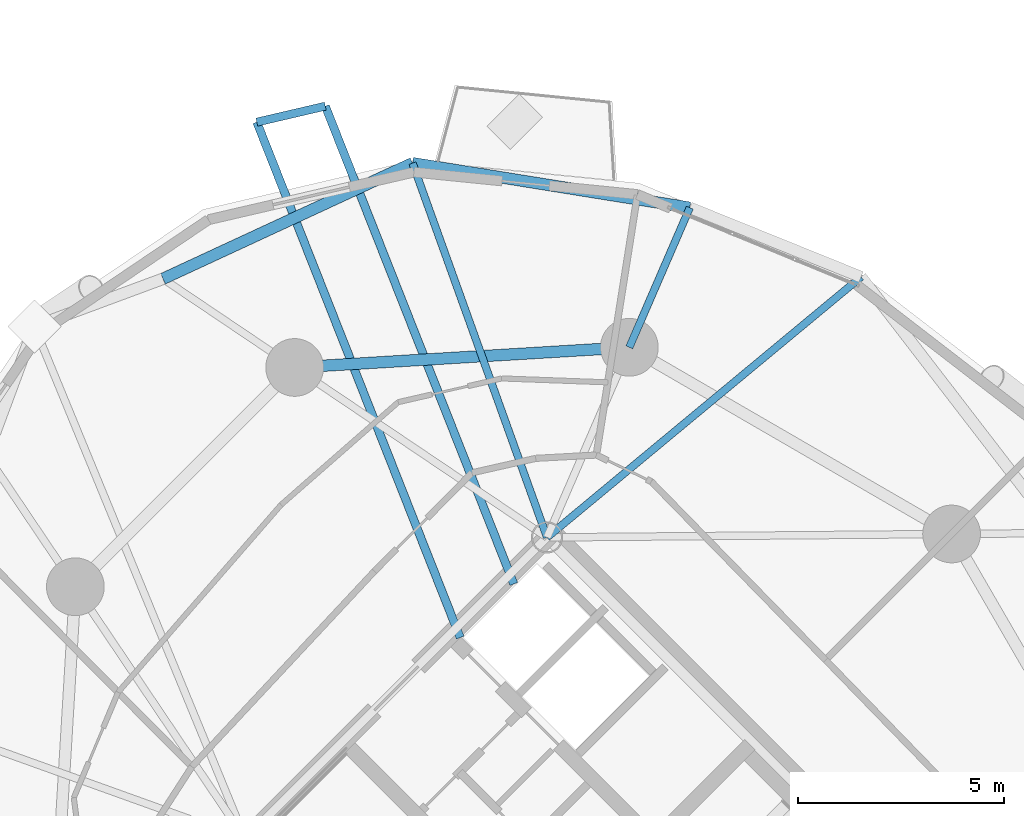
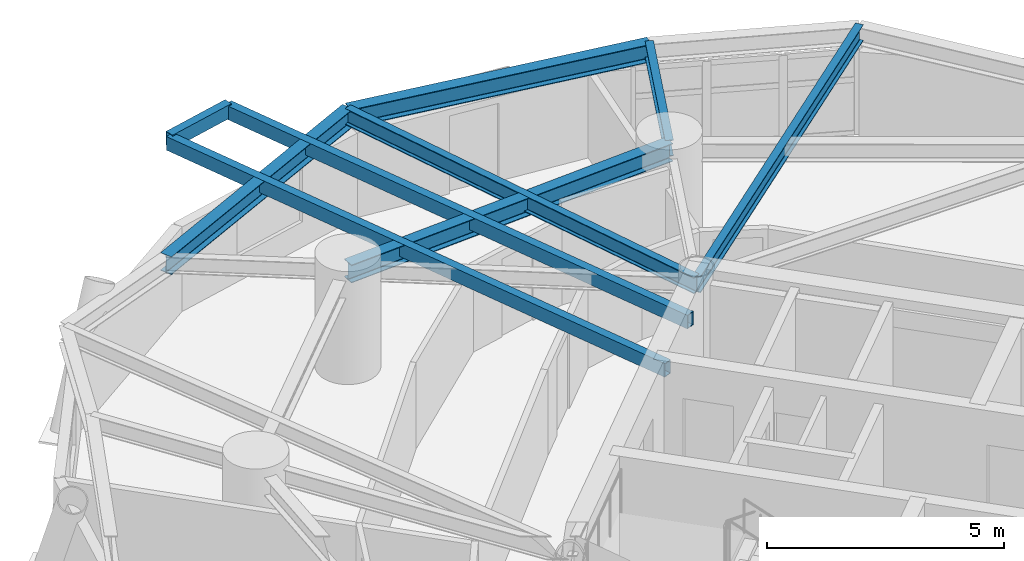
# One storey, part 6 of 18: 9 beams.
"""IFC4 building model written with IfcOpenShell, lengths in metres."""

from ifc_helpers import new_model, si_unit, direction, frame, origin, origin_2d, place, context, subcontext, project, spatial, hollow_rectangle, i_section, extrude, material, material_profile, profile_set, type_object, element, save


model = new_model("IFC4")

# Units and contexts
model_context = context("Model", 3, precision=1e-05, world=origin(), true_north=direction((0.0, 1.0)))
body_context = subcontext(model_context, "Body", "Model", "MODEL_VIEW")
ifc_project = project(units=[si_unit("LENGTHUNIT", "METRE"), si_unit("AREAUNIT", "SQUARE_METRE"), si_unit("VOLUMEUNIT", "CUBIC_METRE"), si_unit("PLANEANGLEUNIT", "RADIAN"), si_unit("MASSUNIT", "GRAM", prefix="KILO")], contexts=[model_context])

# Site, building, storey
site_placement = place(None, origin())
site = spatial("IfcSite", under=ifc_project, at=site_placement, CompositionType="ELEMENT")
building_placement = place(site_placement, origin())
building = spatial("IfcBuilding", under=site, at=building_placement, Name="Cununo Teusaquillo Station Towers", CompositionType="ELEMENT")
storey_placement = place(building_placement, frame((0.0, 0.0, 93.429931640625)))
storey = spatial("IfcBuildingStorey", under=building, at=storey_placement, Name="L29", CompositionType="ELEMENT", Elevation=93.429931640625)

# Beams
ifc_material_1 = material(Name="Steel EN 10025-2 S355J2", Category="steel")
ifc_material_profile_1 = material_profile(ifc_material_1, hollow_rectangle(XDim=0.199951171875, YDim=0.35009765625, WallThickness=0.013916015625, at=origin_2d()), Name="RHS 350x200x14")
ifc_profile_set_1 = profile_set([ifc_material_profile_1], Name="Steel EN 10025-2 S355J2")
beam_type_1 = type_object("IfcBeamType", Name="BM-BAL-CANT", PredefinedType="BEAM", material=ifc_profile_set_1)
beam_1_placement = place(storey_placement, frame((55.48974609375, 31.894287109375, 2.4951171875), z_axis=(-0.367001462432, 0.930220364523, 0.0), x_axis=(-0.930220364523, -0.367001462432, 0.0)))
element("IfcBeam", 1, at=beam_1_placement, inside=storey, type_object=beam_type_1, Name="L29 Tower B Balcony Cantilever Bracket 1A", PredefinedType="BEAM", context=body_context, shape_type="SweptSolid", body=[
    extrude(hollow_rectangle(XDim=0.199951171875, YDim=0.35009765625, WallThickness=0.013916015625, at=origin_2d()), origin(), (0.0, 0.0, 1.0), 12.459716796875),
])
beam_2_placement = place(storey_placement, frame((54.188720703125, 30.593505859375, 2.4951171875), z_axis=(-0.367008555132, 0.930217566196, 0.0), x_axis=(-0.930217566196, -0.367008555132, 0.0)))
element("IfcBeam", 2, at=beam_2_placement, inside=storey, type_object=beam_type_1, Name="L29 Tower B Balcony Cantilever Bracket 1B", PredefinedType="BEAM", context=body_context, shape_type="SweptSolid", body=[
    extrude(hollow_rectangle(XDim=0.199951171875, YDim=0.35009765625, WallThickness=0.013916015625, at=origin_2d()), origin(), (0.0, 0.0, 1.0), 13.44140625),
])
ifc_material_2 = material(Name="Steel ASTM A572 Grade 50", Category="steel")
ifc_material_profile_2 = material_profile(ifc_material_2, i_section(OverallWidth=0.180908203125, OverallDepth=0.4169921875, WebThickness=0.010986328125, FlangeThickness=0.018310546875, FilletRadius=0.012939453125, at=origin_2d()), Name="W16X57")
ifc_profile_set_2 = profile_set([ifc_material_profile_2], Name="Steel ASTM A572 Grade 50")
beam_type_2 = type_object("IfcBeamType", Name="BM-JOIST-1", PredefinedType="JOIST", material=ifc_profile_set_2)
beam_3_placement = place(storey_placement, frame((56.29443359375, 33.024169921875, 2.461669921875), z_axis=(0.769727799615, 0.638372238196, 0.0), x_axis=(-0.638372238196, 0.769727799615, 0.0)))
element("IfcBeam", 3, at=beam_3_placement, inside=storey, type_object=beam_type_2, Name="L29 Tower B Radial Spandrel Joist V01", PredefinedType="JOIST", context=body_context, shape_type="SweptSolid", body=[
    extrude(i_section(OverallWidth=0.180908203125, OverallDepth=0.4169921875, WebThickness=0.010986328125, FlangeThickness=0.018310546875, FilletRadius=0.012939453125, at=origin_2d()), origin(), (0.0, 0.0, 1.0), 9.895263671875),
])
beam_4_placement = place(storey_placement, frame((56.29443359375, 33.024169921875, 2.461669921875), z_axis=(-0.338176312038, 0.941082771055, 0.0), x_axis=(-0.941082771055, -0.338176312038, 0.0)))
element("IfcBeam", 4, at=beam_4_placement, inside=storey, type_object=beam_type_2, Name="L29 Tower B Radial Spandrel Joist V03", PredefinedType="JOIST", context=body_context, shape_type="SweptSolid", body=[
    extrude(i_section(OverallWidth=0.180908203125, OverallDepth=0.4169921875, WebThickness=0.010986328125, FlangeThickness=0.018310546875, FilletRadius=0.012939453125, at=origin_2d()), origin(), (0.0, 0.0, 1.0), 9.646484375),
])
ifc_material_3 = material(Name="Steel ASTM A572 Grade 50", Category="steel")
ifc_material_profile_3 = material_profile(ifc_material_3, i_section(OverallWidth=0.180908203125, OverallDepth=0.4169921875, WebThickness=0.010986328125, FlangeThickness=0.018310546875, FilletRadius=0.012939453125, at=origin_2d()), Name="W16X57")
ifc_profile_set_3 = profile_set([ifc_material_profile_3], Name="Steel ASTM A572 Grade 50")
beam_type_3 = type_object("IfcBeamType", Name="BM-RAD-G2", PredefinedType="BEAM", material=ifc_profile_set_3)
beam_5_placement = place(storey_placement, frame((58.291015625, 37.63525390625, 2.461669921875), z_axis=(0.397421761279, 0.917636062751, 0.0), x_axis=(-0.917636062751, 0.397421761279, 0.0)))
element("IfcBeam", 5, at=beam_5_placement, inside=storey, type_object=beam_type_3, Name="L29 Tower B Perimeter Overhang Girder 02B", PredefinedType="BEAM", context=body_context, shape_type="SweptSolid", body=[
    extrude(i_section(OverallWidth=0.180908203125, OverallDepth=0.4169921875, WebThickness=0.010986328125, FlangeThickness=0.018310546875, FilletRadius=0.012939453125, at=origin_2d()), origin(), (0.0, 0.0, 1.0), 3.690185546875),
])
ifc_material_4 = material(Name="Steel ASTM A572 Grade 50", Category="steel")
ifc_material_profile_4 = material_profile(ifc_material_4, i_section(OverallWidth=0.280029296875, OverallDepth=0.462890625, WebThickness=0.0107421875, FlangeThickness=0.017333984375, FilletRadius=0.013916015625, at=origin_2d()), Name="W18X76")
ifc_profile_set_4 = profile_set([ifc_material_profile_4], Name="Steel ASTM A572 Grade 50")
beam_type_4 = type_object("IfcBeamType", Name="BM-RING-Z2", PredefinedType="SPANDREL", material=ifc_profile_set_4)
beam_6_placement = place(storey_placement, frame((58.291015625, 37.63525390625, 2.4384765625), z_axis=(-0.998190567048, -0.06012979176, 0.0), x_axis=(0.06012979176, -0.998190567048, 0.0)))
element("IfcBeam", 6, at=beam_6_placement, inside=storey, type_object=beam_type_4, Name="L29 Tower B Structural Column Ring Girder 02", PredefinedType="SPANDREL", context=body_context, shape_type="SweptSolid", body=[
    extrude(i_section(OverallWidth=0.280029296875, OverallDepth=0.462890625, WebThickness=0.0107421875, FlangeThickness=0.017333984375, FilletRadius=0.013916015625, at=origin_2d()), origin(), (0.0, 0.0, 1.0), 8.132568359375),
])
beam_7_placement = place(storey_placement, frame((59.757568359375, 41.021484375, 2.4384765625), z_axis=(-0.987331474246, 0.158671232312, 0.0), x_axis=(-0.158671232312, -0.987331474246, 0.0)))
element("IfcBeam", 7, at=beam_7_placement, inside=storey, type_object=beam_type_4, Name="L29 Tower B Spandrel Ring Beam 03", PredefinedType="SPANDREL", context=body_context, shape_type="SweptSolid", body=[
    extrude(i_section(OverallWidth=0.280029296875, OverallDepth=0.462890625, WebThickness=0.0107421875, FlangeThickness=0.017333984375, FilletRadius=0.013916015625, at=origin_2d()), origin(), (0.0, 0.0, 1.0), 6.8115234375),
])
beam_8_placement = place(storey_placement, frame((53.0322265625, 42.102294921875, 2.4384765625), z_axis=(-0.907275870354, -0.420535961689, 0.0), x_axis=(0.420535961689, -0.907275870354, 0.0)))
element("IfcBeam", 8, at=beam_8_placement, inside=storey, type_object=beam_type_4, Name="L29 Tower B Spandrel Ring Beam 04", PredefinedType="SPANDREL", context=body_context, shape_type="SweptSolid", body=[
    extrude(i_section(OverallWidth=0.280029296875, OverallDepth=0.462890625, WebThickness=0.0107421875, FlangeThickness=0.017333984375, FilletRadius=0.013916015625, at=origin_2d()), origin(), (0.0, 0.0, 1.0), 6.671142578125),
])
ifc_material_5 = material(Name="Steel EN 10025-2 S355J2", Category="steel")
ifc_material_profile_5 = material_profile(ifc_material_5, hollow_rectangle(XDim=0.199951171875, YDim=0.35009765625, WallThickness=0.013916015625, at=origin_2d()), Name="RHS 350x200x14")
ifc_profile_set_5 = profile_set([ifc_material_profile_5], Name="Steel EN 10025-2 S355J2")
beam_type_5 = type_object("IfcBeamType", Name="BM-STAIR-TRIM", PredefinedType="BEAM", material=ifc_profile_set_5)
beam_9_placement = place(storey_placement, frame((50.9169921875, 43.484619140625, 2.525146484375), z_axis=(-0.973835931599, -0.22725223503, 0.0), x_axis=(0.22725223503, -0.973835931599, 0.0)))
element("IfcBeam", 9, at=beam_9_placement, inside=storey, type_object=beam_type_5, Name="L29 Tower B Balcony Edge Trimmer Beam 1", PredefinedType="BEAM", context=body_context, shape_type="SweptSolid", body=[
    extrude(hollow_rectangle(XDim=0.199951171875, YDim=0.35009765625, WallThickness=0.013916015625, at=origin_2d()), origin(), (0.0, 0.0, 1.0), 1.7060546875),
])

save(model, "model.ifc")
